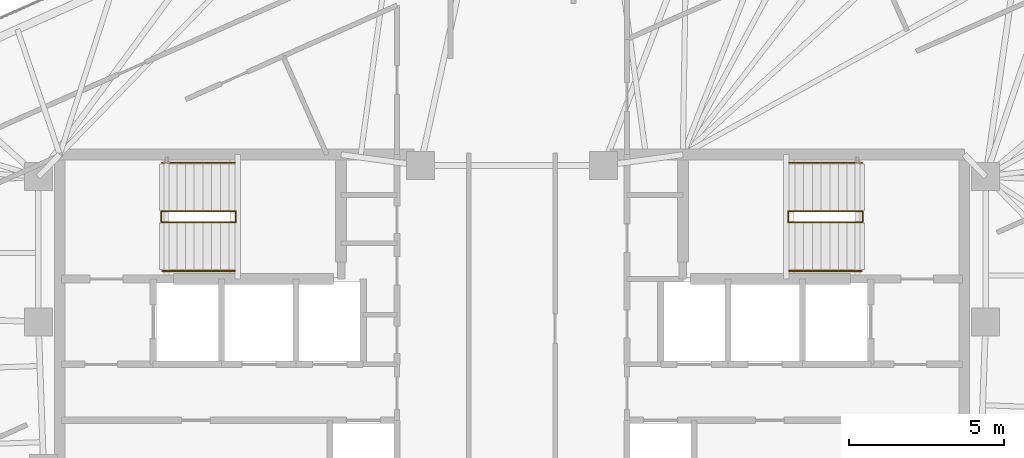
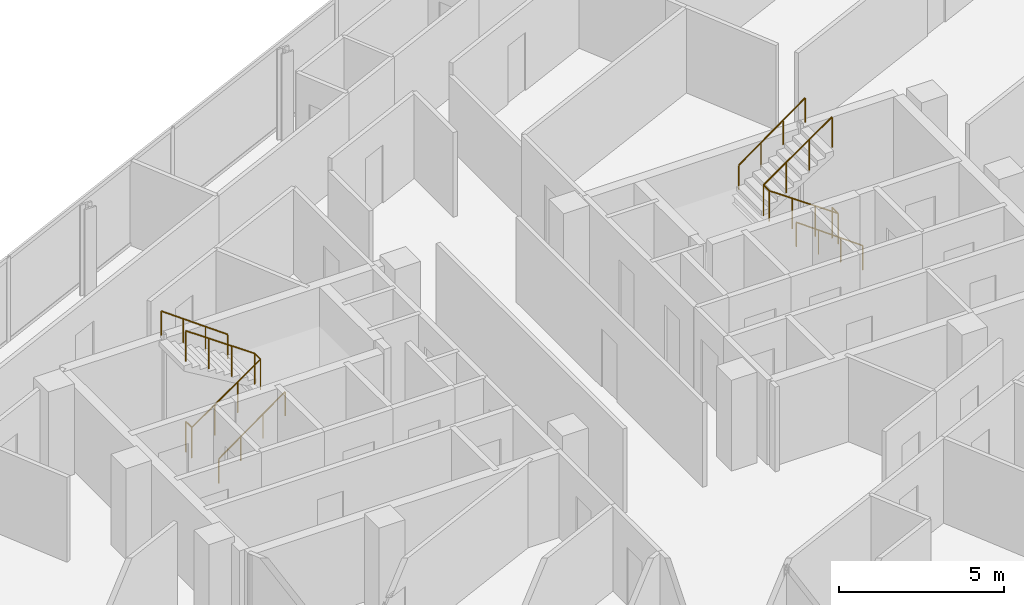
# One storey, part 19 of 19: 6 railings.
"""IFC4 building model written with IfcOpenShell, lengths in metres."""

from ifc_helpers import new_model, si_unit, direction, frame, origin, origin_2d, place, context, subcontext, project, spatial, circle, extrude, material, type_object, element, save


model = new_model("IFC4")

# Units and contexts
model_context = context("Model", 3, precision=1e-05, world=origin(), true_north=direction((0.0, 1.0)))
body_context = subcontext(model_context, "Body", "Model", "MODEL_VIEW")
ifc_project = project(units=[si_unit("LENGTHUNIT", "METRE"), si_unit("AREAUNIT", "SQUARE_METRE"), si_unit("VOLUMEUNIT", "CUBIC_METRE"), si_unit("PLANEANGLEUNIT", "RADIAN"), si_unit("MASSUNIT", "GRAM", prefix="KILO")], contexts=[model_context])

# Site, building, storey
site_placement = place(None, origin())
site = spatial("IfcSite", under=ifc_project, at=site_placement, CompositionType="ELEMENT")
building_placement = place(site_placement, origin())
building = spatial("IfcBuilding", under=site, at=building_placement, Name="Menara Jurai Vektor", CompositionType="ELEMENT")
storey_placement = place(building_placement, frame((0.0, 0.0, 268.89990234375)))
storey = spatial("IfcBuildingStorey", under=building, at=storey_placement, Name="L72", CompositionType="ELEMENT", Elevation=268.89990234375)

# Railings
ifc_material_1 = material(Name="Painted Galvanised Steel Balustrade", Category="steel")
railing_type_1 = type_object("IfcRailingType", Name="RAIL-STAIR-GUARD", PredefinedType="GUARDRAIL", material=ifc_material_1)
railing_1_placement = place(storey_placement, frame((-11.2900390625, 3.780029296875, 0.0)))
element("IfcRailing", 1, at=railing_1_placement, inside=storey, type_object=railing_type_1, Name="ST1 Stair Guardrail 1 L72", PredefinedType="GUARDRAIL", context=body_context, shape_type="SweptSolid", body=[
    extrude(circle(Radius=0.02392578125, at=origin_2d()), frame((0.0, 0.0, 1.1259765625), z_axis=(0.0, -1.0, 0.0), x_axis=(1.0, 0.0, 0.0)), (0.0, 0.0, 1.0), 0.360107421875),
    extrude(circle(Radius=0.02392578125, at=origin_2d()), frame((0.0, -0.360107421875, 1.1259765625), z_axis=(0.820042287322, 0.0, 0.572302932898), x_axis=(0.0, 1.0, 0.0)), (0.0, 0.0, 1.0), 2.9267578125),
    extrude(circle(Radius=0.02392578125, at=origin_2d()), frame((2.400146484375, -0.360107421875, 2.80078125), z_axis=(0.0, 1.0, 0.0), x_axis=(-1.0, 0.0, 0.0)), (0.0, 0.0, 1.0), 0.360107421875),
    extrude(circle(Radius=0.02392578125, at=origin_2d()), frame((2.400146484375, 0.0, 2.80078125), z_axis=(-0.820042287322, 0.0, 0.572302932898), x_axis=(0.0, -1.0, 0.0)), (0.0, 0.0, 1.0), 2.9267578125),
    extrude(circle(Radius=0.02099609375, at=origin_2d()), origin(), (0.0, 0.0, 1.0), 1.101806640625),
    extrude(circle(Radius=0.02099609375, at=origin_2d()), frame((0.0, -0.360107421875, 0.0)), (0.0, 0.0, 1.0), 1.101806640625),
    extrude(circle(Radius=0.02099609375, at=origin_2d()), frame((0.800048828125, -0.360107421875, 0.558349609375)), (0.0, 0.0, 1.0), 1.101806640625),
    extrude(circle(Radius=0.02099609375, at=origin_2d()), frame((1.60009765625, -0.360107421875, 1.11669921875)), (0.0, 0.0, 1.0), 1.101806640625),
    extrude(circle(Radius=0.02099609375, at=origin_2d()), frame((2.400146484375, -0.360107421875, 1.675048828125)), (0.0, 0.0, 1.0), 1.101806640625),
    extrude(circle(Radius=0.02099609375, at=origin_2d()), frame((2.400146484375, 0.0, 1.675048828125)), (0.0, 0.0, 1.0), 1.101806640625),
    extrude(circle(Radius=0.02099609375, at=origin_2d()), frame((1.60009765625, 0.0, 2.2333984375)), (0.0, 0.0, 1.0), 1.101806640625),
    extrude(circle(Radius=0.02099609375, at=origin_2d()), frame((0.800048828125, 0.0, 2.791748046875)), (0.0, 0.0, 1.0), 1.101806640625),
    extrude(circle(Radius=0.02099609375, at=origin_2d()), frame((0.0, 0.0, 3.35009765625)), (0.0, 0.0, 1.0), 1.101806640625),
])
railing_2_placement = place(storey_placement, frame((11.2900390625, 3.780029296875, 0.0)))
element("IfcRailing", 2, at=railing_2_placement, inside=storey, type_object=railing_type_1, Name="ST2 Stair Guardrail 1 L72", PredefinedType="GUARDRAIL", context=body_context, shape_type="SweptSolid", body=[
    extrude(circle(Radius=0.02392578125, at=origin_2d()), frame((0.0, 0.0, 1.1259765625), z_axis=(0.0, -1.0, 0.0), x_axis=(1.0, 0.0, 0.0)), (0.0, 0.0, 1.0), 0.360107421875),
    extrude(circle(Radius=0.02392578125, at=origin_2d()), frame((0.0, -0.360107421875, 1.1259765625), z_axis=(-0.820042287322, 0.0, 0.572302932898), x_axis=(0.0, -1.0, 0.0)), (0.0, 0.0, 1.0), 2.9267578125),
    extrude(circle(Radius=0.02392578125, at=origin_2d()), frame((-2.400146484375, -0.360107421875, 2.80078125), z_axis=(0.0, 1.0, 0.0), x_axis=(-1.0, 0.0, 0.0)), (0.0, 0.0, 1.0), 0.360107421875),
    extrude(circle(Radius=0.02392578125, at=origin_2d()), frame((-2.400146484375, 0.0, 2.80078125), z_axis=(0.820042287322, 0.0, 0.572302932898), x_axis=(0.0, 1.0, 0.0)), (0.0, 0.0, 1.0), 2.9267578125),
    extrude(circle(Radius=0.02099609375, at=origin_2d()), origin(), (0.0, 0.0, 1.0), 1.101806640625),
    extrude(circle(Radius=0.02099609375, at=origin_2d()), frame((0.0, -0.360107421875, 0.0)), (0.0, 0.0, 1.0), 1.101806640625),
    extrude(circle(Radius=0.02099609375, at=origin_2d()), frame((-0.800048828125, -0.360107421875, 0.558349609375)), (0.0, 0.0, 1.0), 1.101806640625),
    extrude(circle(Radius=0.02099609375, at=origin_2d()), frame((-1.60009765625, -0.360107421875, 1.11669921875)), (0.0, 0.0, 1.0), 1.101806640625),
    extrude(circle(Radius=0.02099609375, at=origin_2d()), frame((-2.400146484375, -0.360107421875, 1.675048828125)), (0.0, 0.0, 1.0), 1.101806640625),
    extrude(circle(Radius=0.02099609375, at=origin_2d()), frame((-2.400146484375, 0.0, 1.675048828125)), (0.0, 0.0, 1.0), 1.101806640625),
    extrude(circle(Radius=0.02099609375, at=origin_2d()), frame((-1.60009765625, 0.0, 2.2333984375)), (0.0, 0.0, 1.0), 1.101806640625),
    extrude(circle(Radius=0.02099609375, at=origin_2d()), frame((-0.800048828125, 0.0, 2.791748046875)), (0.0, 0.0, 1.0), 1.101806640625),
    extrude(circle(Radius=0.02099609375, at=origin_2d()), frame((0.0, 0.0, 3.35009765625)), (0.0, 0.0, 1.0), 1.101806640625),
])
ifc_material_2 = material(Name="Brushed Stainless Steel Handrail", Category="steel")
railing_type_2 = type_object("IfcRailingType", Name="RAIL-STAIR-HAND", PredefinedType="HANDRAIL", material=ifc_material_2)
railing_3_placement = place(storey_placement, frame((-11.25, 1.860107421875, 0.0)))
element("IfcRailing", 3, at=railing_3_placement, inside=storey, type_object=railing_type_2, Name="ST1 Stair Handrail 1 L72", PredefinedType="HANDRAIL", context=body_context, shape_type="SweptSolid", body=[
    extrude(circle(Radius=0.02392578125, at=origin_2d()), frame((0.0, 0.0, 0.89599609375), z_axis=(0.810771458067, 0.0, 0.585362830032), x_axis=(0.0, 1.0, 0.0)), (0.0, 0.0, 1.0), 2.861572265625),
    extrude(circle(Radius=0.02099609375, at=origin_2d()), origin(), (0.0, 0.0, 1.0), 0.871826171875),
    extrude(circle(Radius=0.02099609375, at=origin_2d()), frame((0.7734375, 0.0, 0.558349609375)), (0.0, 0.0, 1.0), 0.871826171875),
    extrude(circle(Radius=0.02099609375, at=origin_2d()), frame((1.546630859375, 0.0, 1.11669921875)), (0.0, 0.0, 1.0), 0.871826171875),
    extrude(circle(Radius=0.02099609375, at=origin_2d()), frame((2.320068359375, 0.0, 1.675048828125)), (0.0, 0.0, 1.0), 0.871826171875),
])
for number, where, name in (
    (4, (-8.929931640625, 5.340087890625, 1.675048828125), "ST1 Stair Handrail 2 L72"),
    (5, (11.25, 1.860107421875, 0.0), "ST2 Stair Handrail 1 L72"),
):
    element("IfcRailing", number, at=place(storey_placement, frame(where)), inside=storey, type_object=railing_type_2, Name=name, PredefinedType="HANDRAIL", context=body_context, shape_type="SweptSolid", body=[
        extrude(circle(Radius=0.02392578125, at=origin_2d()), frame((0.0, 0.0, 0.89599609375), z_axis=(-0.810771458067, 0.0, 0.585362830032), x_axis=(0.0, -1.0, 0.0)), (0.0, 0.0, 1.0), 2.861572265625),
        extrude(circle(Radius=0.02099609375, at=origin_2d()), origin(), (0.0, 0.0, 1.0), 0.871826171875),
        extrude(circle(Radius=0.02099609375, at=origin_2d()), frame((-0.7734375, 0.0, 0.558349609375)), (0.0, 0.0, 1.0), 0.871826171875),
        extrude(circle(Radius=0.02099609375, at=origin_2d()), frame((-1.546630859375, 0.0, 1.11669921875)), (0.0, 0.0, 1.0), 0.871826171875),
        extrude(circle(Radius=0.02099609375, at=origin_2d()), frame((-2.320068359375, 0.0, 1.675048828125)), (0.0, 0.0, 1.0), 0.871826171875),
    ])
railing_4_placement = place(storey_placement, frame((8.929931640625, 5.340087890625, 1.675048828125)))
element("IfcRailing", 6, at=railing_4_placement, inside=storey, type_object=railing_type_2, Name="ST2 Stair Handrail 2 L72", PredefinedType="HANDRAIL", context=body_context, shape_type="SweptSolid", body=[
    extrude(circle(Radius=0.02392578125, at=origin_2d()), frame((0.0, 0.0, 0.89599609375), z_axis=(0.810771458067, 0.0, 0.585362830032), x_axis=(0.0, 1.0, 0.0)), (0.0, 0.0, 1.0), 2.861572265625),
    extrude(circle(Radius=0.02099609375, at=origin_2d()), origin(), (0.0, 0.0, 1.0), 0.871826171875),
    extrude(circle(Radius=0.02099609375, at=origin_2d()), frame((0.7734375, 0.0, 0.558349609375)), (0.0, 0.0, 1.0), 0.871826171875),
    extrude(circle(Radius=0.02099609375, at=origin_2d()), frame((1.546630859375, 0.0, 1.11669921875)), (0.0, 0.0, 1.0), 0.871826171875),
    extrude(circle(Radius=0.02099609375, at=origin_2d()), frame((2.320068359375, 0.0, 1.675048828125)), (0.0, 0.0, 1.0), 0.871826171875),
])

save(model, "model.ifc")
